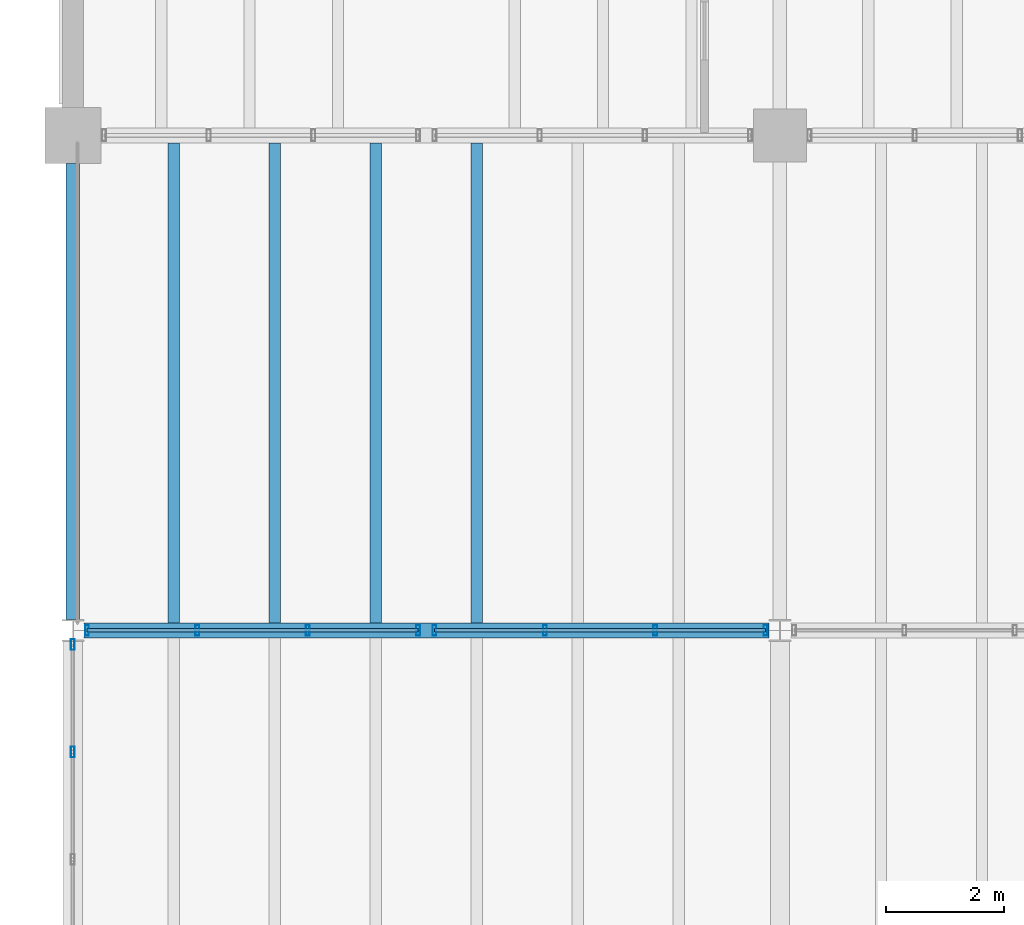
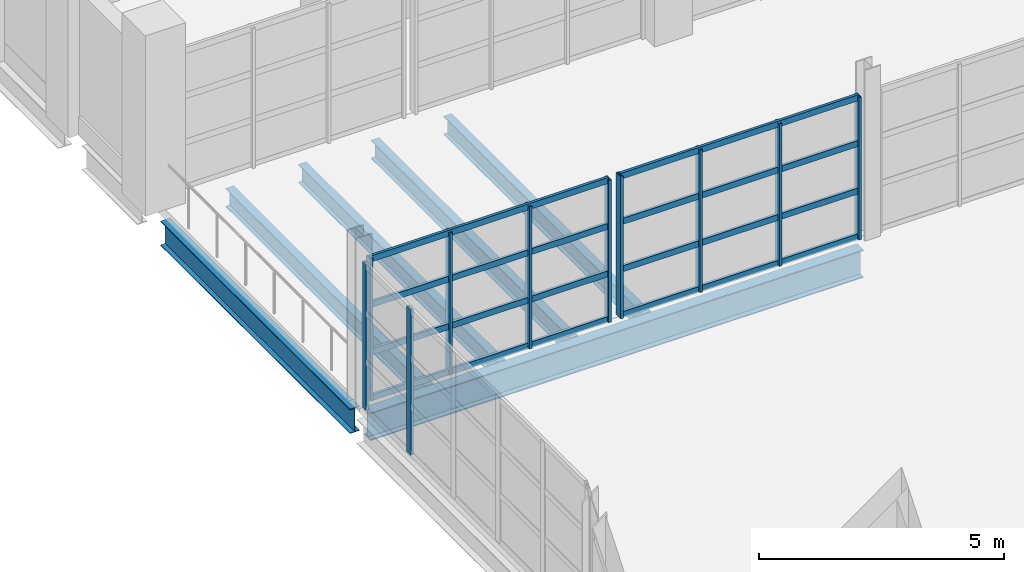
# One storey, part 17 of 114: 18 members, 6 beams, 3 elements without a shape of their own.
"""IFC4 building model written with IfcOpenShell, lengths in metres."""

import ifcopenshell
import ifcopenshell.guid

model = None  # the IFC model being written
_history = None  # IfcOwnerHistory: only IFC2X3 demands one
_inside = {}  # id of a spatial element -> (the spatial element, [elements in it])
_under = {}  # id of a project, library or spatial element -> (it, [spatial elements below it])
_declared = {}  # id of a project -> (the project, [libraries it declares])
_typed = {}  # id of a type object -> (the type object, [elements of that type])
_made_of = {}  # id of a material, layer set ... -> (it, [elements and type objects made of it])


def new_model(schema):
    """Start an empty IFC model of exactly this schema.

    Asked for "IFC4X3", IfcOpenShell would pick the latest addendum, in which some entities
    have other attributes; the version numbers below select the first issue.
    IFC2X3 requires an IfcOwnerHistory on every rooted entity: one is made here for all.
    """
    global model, _history
    if schema == "IFC4X3":
        model = ifcopenshell.file(schema_version=(4, 3, 0, 0))
    else:
        model = ifcopenshell.file(schema=schema)
    _inside.clear()
    _under.clear()
    _declared.clear()
    _typed.clear()
    _made_of.clear()
    _history = None
    if model.schema == "IFC2X3":
        org = make("IfcOrganization", Name="unknown")
        user = make(
            "IfcPersonAndOrganization",
            ThePerson=make("IfcPerson", FamilyName="unknown"),
            TheOrganization=org,
        )
        app = make(
            "IfcApplication",
            ApplicationDeveloper=org,
            Version="unknown",
            ApplicationFullName="unknown",
            ApplicationIdentifier="unknown",
        )
        _history = make(
            "IfcOwnerHistory",
            OwningUser=user,
            OwningApplication=app,
            ChangeAction="ADDED",
            CreationDate=0,
        )
    return model


def make(cls, **values):
    """One entity of the class cls with the attributes given. An attribute that is None is left unset."""
    return model.create_entity(
        cls, **{name: value for name, value in values.items() if value is not None}
    )


def rooted(cls, **values):
    """An entity with a GlobalId (a new one), such as an element, a storey or a relation."""
    return make(cls, GlobalId=ifcopenshell.guid.new(), OwnerHistory=_history, **values)


def si_unit(unit_type, name, prefix=None):
    """IfcSIUnit, for example si_unit("LENGTHUNIT", "METRE", prefix="MILLI")."""
    return make("IfcSIUnit", UnitType=unit_type, Prefix=prefix, Name=name)


def assignment(units):
    """IfcUnitAssignment: the units of a project."""
    return None if units is None else make("IfcUnitAssignment", Units=units)


def point(xyz):
    """IfcCartesianPoint."""
    return None if xyz is None else make("IfcCartesianPoint", Coordinates=xyz)


def direction(xyz):
    """IfcDirection."""
    return None if xyz is None else make("IfcDirection", DirectionRatios=xyz)


def frame(location, z_axis=None, x_axis=None):
    """IfcAxis2Placement3D, a coordinate frame: its origin and axes. An axis left out is left unset."""
    return make(
        "IfcAxis2Placement3D",
        Location=point(location),
        Axis=direction(z_axis),
        RefDirection=direction(x_axis),
    )


def frame_2d(location, x_axis=None):
    """IfcAxis2Placement2D, a coordinate frame in the plane: its origin and x axis."""
    return make(
        "IfcAxis2Placement2D", Location=point(location), RefDirection=direction(x_axis)
    )


def origin():
    """The frame at (0, 0, 0) with its axes left unset."""
    return frame((0.0, 0.0, 0.0))


def origin_2d():
    """The frame at (0, 0) in the plane with its x axis left unset."""
    return frame_2d((0.0, 0.0))


def place(relative_to, where):
    """IfcLocalPlacement: puts the frame where relative to a parent placement (None: the world)."""
    return make(
        "IfcLocalPlacement", PlacementRelTo=relative_to, RelativePlacement=where
    )


def context(
    kind, dimensions, precision=None, world=None, true_north=None, identifier=None
):
    """IfcGeometricRepresentationContext, for example the 3D "Model" context."""
    return make(
        "IfcGeometricRepresentationContext",
        ContextIdentifier=identifier,
        ContextType=kind,
        CoordinateSpaceDimension=dimensions,
        Precision=precision,
        WorldCoordinateSystem=world,
        TrueNorth=true_north,
    )


def subcontext(parent, identifier, kind, view, scale=None):
    """IfcGeometricRepresentationSubContext, for example "Body" below "Model"."""
    return make(
        "IfcGeometricRepresentationSubContext",
        ContextIdentifier=identifier,
        ContextType=kind,
        ParentContext=parent,
        TargetScale=scale,
        TargetView=view,
    )


def project(units=None, contexts=None):
    """IfcProject with its units and contexts."""
    return rooted(
        "IfcProject",
        Name="project",
        RepresentationContexts=contexts,
        UnitsInContext=assignment(units),
    )


def spatial(cls, under=None, at=None, **own):
    """A site, building, storey or space (cls), placed at a placement, below another one or the project."""
    s = rooted(cls, ObjectPlacement=at, **own)
    if under is not None:
        _under.setdefault(under.id(), (under, []))[1].append(s)
    return s


def profile(cls, at=None, kind="AREA", **sizes):
    """A parametric profile (cls). Its sizes go by their IFC names, for example OverallWidth=200.0."""
    return make(cls, ProfileType=kind, Position=at, **sizes)


def hollow_rectangle(**sizes):
    """IfcRectangleHollowProfileDef."""
    return profile("IfcRectangleHollowProfileDef", **sizes)


def i_section(**sizes):
    """IfcIShapeProfileDef."""
    return profile("IfcIShapeProfileDef", **sizes)


def extrude(swept, where, along, depth):
    """IfcExtrudedAreaSolid: the profile swept, set in the frame where, extruded along a direction by depth."""
    return make(
        "IfcExtrudedAreaSolid",
        SweptArea=swept,
        Position=where,
        ExtrudedDirection=direction(along),
        Depth=depth,
    )


def shape(context_of_items, identifier, shape_type, items):
    """IfcShapeRepresentation: the items that make up one representation, for example the "Body"."""
    return make(
        "IfcShapeRepresentation",
        ContextOfItems=context_of_items,
        RepresentationIdentifier=identifier,
        RepresentationType=shape_type,
        Items=items,
    )


def material(Name=None, Category=None):
    """IfcMaterial."""
    return make("IfcMaterial", Name=Name, Category=Category)


def material_profile(
    of_material, cross_section, Name=None, Category=None, Priority=None
):
    """IfcMaterialProfile: a cross section and its material."""
    return make(
        "IfcMaterialProfile",
        Name=Name,
        Material=of_material,
        Profile=cross_section,
        Priority=Priority,
        Category=Category,
    )


def profile_set(profiles, Name=None, composite=None):
    """IfcMaterialProfileSet."""
    return make(
        "IfcMaterialProfileSet",
        Name=Name,
        MaterialProfiles=profiles,
        CompositeProfile=composite,
    )


def made_of(thing, what):
    """Note that an element or type object is made of a material, layer set ...; save() writes the relation."""
    if what is not None:
        _made_of.setdefault(what.id(), (what, []))[1].append(thing)
    return thing


def type_object(cls, material=None, **own):
    """A type object (cls), such as IfcWallType, which elements share."""
    return made_of(rooted(cls, **own), material)


def element(
    cls,
    number,
    at=None,
    inside=None,
    cuts=None,
    type_object=None,
    material=None,
    context=None,
    identifier="Body",
    shape_type=None,
    held_by="IfcProductDefinitionShape",
    body=None,
    shapes=None,
    **own,
):
    """One element of the class cls, such as IfcWall. Its Tag is "e" and its number.

    at: its placement. inside: the storey or other place that contains it. cuts: it is an
    opening in that element (IfcRelVoidsElement). A single representation is given by context,
    identifier, shape_type and body (its items); several are given by shapes. held_by: the class
    of the entity that holds the representations. save() writes the other relations.
    """
    e = rooted(cls, Tag="e%d" % number, ObjectPlacement=at, **own)
    if body is not None:
        shapes = [shape(context, identifier, shape_type, body)]
    if shapes is not None:
        e.Representation = make(held_by, Representations=shapes)
    if inside is not None:
        _inside.setdefault(inside.id(), (inside, []))[1].append(e)
    if cuts is not None:
        rooted(
            "IfcRelVoidsElement", RelatingBuildingElement=cuts, RelatedOpeningElement=e
        )
    if type_object is not None:
        _typed.setdefault(type_object.id(), (type_object, []))[1].append(e)
    return made_of(e, material)


def aggregate(whole, parts):
    """IfcRelAggregates: a whole, such as a stair, and the parts it consists of."""
    return rooted("IfcRelAggregates", RelatingObject=whole, RelatedObjects=parts)


def save(model, path):
    """Write the relations noted so far, then the file.

    IfcRelAggregates (storeys below a building ...), IfcRelContainedInSpatialStructure (elements
    in a storey), IfcRelDefinesByType, IfcRelAssociatesMaterial and IfcRelDeclares: one each for
    every whole, place, type object, material and project.
    """
    for whole, parts in _under.values():
        aggregate(whole, parts)
    for where, things in _inside.values():
        rooted(
            "IfcRelContainedInSpatialStructure",
            RelatedElements=things,
            RelatingStructure=where,
        )
    for kind, things in _typed.values():
        rooted("IfcRelDefinesByType", RelatedObjects=things, RelatingType=kind)
    for what, things in _made_of.values():
        rooted("IfcRelAssociatesMaterial", RelatedObjects=things, RelatingMaterial=what)
    for by, libraries in _declared.values():
        rooted("IfcRelDeclares", RelatingContext=by, RelatedDefinitions=libraries)
    model.write(path)


model = new_model("IFC4")

# Units and contexts
model_context = context("Model", 3, precision=1e-05, world=origin(), true_north=direction((0.0, 1.0)))
body_context = subcontext(model_context, "Body", "Model", "MODEL_VIEW")
ifc_project = project(units=[si_unit("LENGTHUNIT", "METRE"), si_unit("AREAUNIT", "SQUARE_METRE"), si_unit("VOLUMEUNIT", "CUBIC_METRE"), si_unit("PLANEANGLEUNIT", "RADIAN"), si_unit("MASSUNIT", "GRAM", prefix="KILO")], contexts=[model_context])

# Site, building, storey
site_placement = place(None, origin())
site = spatial("IfcSite", under=ifc_project, at=site_placement, CompositionType="ELEMENT")
building_placement = place(site_placement, origin())
building = spatial("IfcBuilding", under=site, at=building_placement, Name="Kelmvaro Bay Concert Hall", CompositionType="ELEMENT")
storey_placement = place(building_placement, frame((0.0, 0.0, 4.800048828125)))
storey = spatial("IfcBuildingStorey", under=building, at=storey_placement, Name="L01", CompositionType="ELEMENT", Elevation=4.800048828125)

# Curtain wall, members
ifc_material_1 = material(Name="Anodised Aluminium and Low-E Insulated Glazing", Category="aluminium")
curtain_wall_type = type_object("IfcCurtainWallType", Name="West Link Courtyard Curtain Wall 4000", PredefinedType="USERDEFINED", material=ifc_material_1)
curtain_wall_1_placement = place(storey_placement, origin())
curtain_wall_1 = element("IfcCurtainWall", 1, at=curtain_wall_1_placement, inside=storey, type_object=curtain_wall_type, Name="Unitised Curtain Wall CW-L01-132", ObjectType="UNITISED GLAZING", PredefinedType="USERDEFINED")
ifc_material_2 = material(Name="Anodised Extruded Aluminium 6063-T6", Category="aluminium")
ifc_material_profile_1 = material_profile(ifc_material_2, hollow_rectangle(XDim=0.06494140625, YDim=0.179931640625, WallThickness=0.00390625, at=origin_2d()), Name="ALU-MUL-180X65")
ifc_profile_set_1 = profile_set([ifc_material_profile_1], Name="Anodised Extruded Aluminium 6063-T6")
member_type_1 = type_object("IfcMemberType", Name="Curtain Mullion ALU 180x65", PredefinedType="MULLION", material=ifc_profile_set_1)
member_1_placement = place(storey_placement, frame((0.0, 54.93505859375, 0.0), z_axis=(0.0, 0.0, 1.0), x_axis=(1.0, 0.0, 0.0)))
member_1 = element("IfcMember", 2, at=member_1_placement, type_object=member_type_1, Name="CW-L01-132 Mullion 05", PredefinedType="MULLION", context=body_context, shape_type="SweptSolid", body=[
    extrude(hollow_rectangle(XDim=0.06494140625, YDim=0.179931640625, WallThickness=0.00390625, at=origin_2d()), origin(), (0.0, 0.0, 1.0), 3.62890625),
])
member_2_placement = place(storey_placement, frame((0.0, 56.758544921875, 0.0), z_axis=(0.0, 0.0, 1.0), x_axis=(1.0, 0.0, 0.0)))
member_2 = element("IfcMember", 3, at=member_2_placement, type_object=member_type_1, Name="CW-L01-132 Mullion 06", PredefinedType="MULLION", context=body_context, shape_type="SweptSolid", body=[
    extrude(hollow_rectangle(XDim=0.06494140625, YDim=0.179931640625, WallThickness=0.00390625, at=origin_2d()), origin(), (0.0, 0.0, 1.0), 3.62890625),
])
aggregate(curtain_wall_1, [member_1, member_2])

curtain_wall_2_placement = place(storey_placement, origin())
curtain_wall_2 = element("IfcCurtainWall", 4, at=curtain_wall_2_placement, inside=storey, type_object=curtain_wall_type, Name="Unitised Curtain Wall CW-L01-133", ObjectType="UNITISED GLAZING", PredefinedType="USERDEFINED")
member_3_placement = place(storey_placement, frame((0.241455078125, 57.0, 0.0), z_axis=(0.0, 0.0, 1.0), x_axis=(1.0, 0.0, 0.0)))
member_3 = element("IfcMember", 5, at=member_3_placement, type_object=member_type_1, Name="CW-L01-133 Mullion 01", PredefinedType="MULLION", context=body_context, shape_type="SweptSolid", body=[
    extrude(hollow_rectangle(XDim=0.06494140625, YDim=0.179931640625, WallThickness=0.00390625, at=origin_2d()), origin(), (0.0, 0.0, 1.0), 3.546875),
])
member_4_placement = place(storey_placement, frame((2.1142578125, 57.0, 0.0), z_axis=(0.0, 0.0, 1.0), x_axis=(1.0, 0.0, 0.0)))
member_4 = element("IfcMember", 6, at=member_4_placement, type_object=member_type_1, Name="CW-L01-133 Mullion 02", PredefinedType="MULLION", context=body_context, shape_type="SweptSolid", body=[
    extrude(hollow_rectangle(XDim=0.06494140625, YDim=0.179931640625, WallThickness=0.00390625, at=origin_2d()), origin(), (0.0, 0.0, 1.0), 3.546875),
])
member_5_placement = place(storey_placement, frame((3.9873046875, 57.0, 0.0), z_axis=(0.0, 0.0, 1.0), x_axis=(1.0, 0.0, 0.0)))
member_5 = element("IfcMember", 7, at=member_5_placement, type_object=member_type_1, Name="CW-L01-133 Mullion 03", PredefinedType="MULLION", context=body_context, shape_type="SweptSolid", body=[
    extrude(hollow_rectangle(XDim=0.06494140625, YDim=0.179931640625, WallThickness=0.00390625, at=origin_2d()), origin(), (0.0, 0.0, 1.0), 3.546875),
])
member_6_placement = place(storey_placement, frame((5.860107421875, 57.0, 0.0), z_axis=(0.0, 0.0, 1.0), x_axis=(1.0, 0.0, 0.0)))
member_6 = element("IfcMember", 8, at=member_6_placement, type_object=member_type_1, Name="CW-L01-133 Mullion 04", PredefinedType="MULLION", context=body_context, shape_type="SweptSolid", body=[
    extrude(hollow_rectangle(XDim=0.06494140625, YDim=0.179931640625, WallThickness=0.00390625, at=origin_2d()), origin(), (0.0, 0.0, 1.0), 3.546875),
])

curtain_wall_3_placement = place(storey_placement, origin())
curtain_wall_3 = element("IfcCurtainWall", 9, at=curtain_wall_3_placement, inside=storey, type_object=curtain_wall_type, Name="Unitised Curtain Wall CW-L01-134", ObjectType="UNITISED GLAZING", PredefinedType="USERDEFINED")
member_7_placement = place(storey_placement, frame((6.139892578125, 57.0, 0.0), z_axis=(0.0, 0.0, 1.0), x_axis=(1.0, 0.0, 0.0)))
member_7 = element("IfcMember", 10, at=member_7_placement, type_object=member_type_1, Name="CW-L01-134 Mullion 01", PredefinedType="MULLION", context=body_context, shape_type="SweptSolid", body=[
    extrude(hollow_rectangle(XDim=0.06494140625, YDim=0.179931640625, WallThickness=0.00390625, at=origin_2d()), origin(), (0.0, 0.0, 1.0), 3.546875),
])
member_8_placement = place(storey_placement, frame((8.0126953125, 57.0, 0.0), z_axis=(0.0, 0.0, 1.0), x_axis=(1.0, 0.0, 0.0)))
member_8 = element("IfcMember", 11, at=member_8_placement, type_object=member_type_1, Name="CW-L01-134 Mullion 02", PredefinedType="MULLION", context=body_context, shape_type="SweptSolid", body=[
    extrude(hollow_rectangle(XDim=0.06494140625, YDim=0.179931640625, WallThickness=0.00390625, at=origin_2d()), origin(), (0.0, 0.0, 1.0), 3.546875),
])
member_9_placement = place(storey_placement, frame((9.8857421875, 57.0, 0.0), z_axis=(0.0, 0.0, 1.0), x_axis=(1.0, 0.0, 0.0)))
member_9 = element("IfcMember", 12, at=member_9_placement, type_object=member_type_1, Name="CW-L01-134 Mullion 03", PredefinedType="MULLION", context=body_context, shape_type="SweptSolid", body=[
    extrude(hollow_rectangle(XDim=0.06494140625, YDim=0.179931640625, WallThickness=0.00390625, at=origin_2d()), origin(), (0.0, 0.0, 1.0), 3.546875),
])
member_10_placement = place(storey_placement, frame((11.758544921875, 57.0, 0.0), z_axis=(0.0, 0.0, 1.0), x_axis=(1.0, 0.0, 0.0)))
member_10 = element("IfcMember", 13, at=member_10_placement, type_object=member_type_1, Name="CW-L01-134 Mullion 04", PredefinedType="MULLION", context=body_context, shape_type="SweptSolid", body=[
    extrude(hollow_rectangle(XDim=0.06494140625, YDim=0.179931640625, WallThickness=0.00390625, at=origin_2d()), origin(), (0.0, 0.0, 1.0), 3.546875),
])

# Member
ifc_material_3 = material(Name="Anodised Extruded Aluminium 6063-T6", Category="aluminium")
ifc_material_profile_2 = material_profile(ifc_material_3, hollow_rectangle(XDim=0.06494140625, YDim=0.14990234375, WallThickness=0.00390625, at=origin_2d()), Name="ALU-TRN-150X65")
ifc_profile_set_2 = profile_set([ifc_material_profile_2], Name="Anodised Extruded Aluminium 6063-T6")
member_type_2 = type_object("IfcMemberType", Name="Curtain Transom ALU 150x65", PredefinedType="USERDEFINED", material=ifc_profile_set_2)
member_11_placement = place(storey_placement, frame((0.241455078125, 57.0, 0.0400390625), z_axis=(1.0, 0.0, 0.0), x_axis=(0.0, 1.0, 0.0)))
member_11 = element("IfcMember", 14, at=member_11_placement, type_object=member_type_2, Name="CW-L01-133 Transom 01", ObjectType="TRANSOM", PredefinedType="USERDEFINED", context=body_context, shape_type="SweptSolid", body=[
    extrude(hollow_rectangle(XDim=0.06494140625, YDim=0.14990234375, WallThickness=0.00390625, at=origin_2d()), origin(), (0.0, 0.0, 1.0), 5.61865234375),
])

member_12_placement = place(storey_placement, frame((0.241455078125, 57.0, 1.182373046875), z_axis=(1.0, 0.0, 0.0), x_axis=(0.0, 1.0, 0.0)))
member_12 = element("IfcMember", 15, at=member_12_placement, type_object=member_type_2, Name="CW-L01-133 Transom 02", ObjectType="TRANSOM", PredefinedType="USERDEFINED", context=body_context, shape_type="SweptSolid", body=[
    extrude(hollow_rectangle(XDim=0.06494140625, YDim=0.14990234375, WallThickness=0.00390625, at=origin_2d()), origin(), (0.0, 0.0, 1.0), 5.61865234375),
])

member_13_placement = place(storey_placement, frame((0.241455078125, 57.0, 2.36474609375), z_axis=(1.0, 0.0, 0.0), x_axis=(0.0, 1.0, 0.0)))
member_13 = element("IfcMember", 16, at=member_13_placement, type_object=member_type_2, Name="CW-L01-133 Transom 03", ObjectType="TRANSOM", PredefinedType="USERDEFINED", context=body_context, shape_type="SweptSolid", body=[
    extrude(hollow_rectangle(XDim=0.06494140625, YDim=0.14990234375, WallThickness=0.00390625, at=origin_2d()), origin(), (0.0, 0.0, 1.0), 5.61865234375),
])

member_14_placement = place(storey_placement, frame((0.241455078125, 57.0, 3.5068359375), z_axis=(1.0, 0.0, 0.0), x_axis=(0.0, 1.0, 0.0)))
member_14 = element("IfcMember", 17, at=member_14_placement, type_object=member_type_2, Name="CW-L01-133 Transom 04", ObjectType="TRANSOM", PredefinedType="USERDEFINED", context=body_context, shape_type="SweptSolid", body=[
    extrude(hollow_rectangle(XDim=0.06494140625, YDim=0.14990234375, WallThickness=0.00390625, at=origin_2d()), origin(), (0.0, 0.0, 1.0), 5.61865234375),
])

aggregate(curtain_wall_2, [member_3, member_4, member_5, member_6, member_11, member_12, member_13, member_14])

member_15_placement = place(storey_placement, frame((6.139892578125, 57.0, 0.0400390625), z_axis=(1.0, 0.0, 0.0), x_axis=(0.0, 1.0, 0.0)))
member_15 = element("IfcMember", 18, at=member_15_placement, type_object=member_type_2, Name="CW-L01-134 Transom 01", ObjectType="TRANSOM", PredefinedType="USERDEFINED", context=body_context, shape_type="SweptSolid", body=[
    extrude(hollow_rectangle(XDim=0.06494140625, YDim=0.14990234375, WallThickness=0.00390625, at=origin_2d()), origin(), (0.0, 0.0, 1.0), 5.61865234375),
])

member_16_placement = place(storey_placement, frame((6.139892578125, 57.0, 1.182373046875), z_axis=(1.0, 0.0, 0.0), x_axis=(0.0, 1.0, 0.0)))
member_16 = element("IfcMember", 19, at=member_16_placement, type_object=member_type_2, Name="CW-L01-134 Transom 02", ObjectType="TRANSOM", PredefinedType="USERDEFINED", context=body_context, shape_type="SweptSolid", body=[
    extrude(hollow_rectangle(XDim=0.06494140625, YDim=0.14990234375, WallThickness=0.00390625, at=origin_2d()), origin(), (0.0, 0.0, 1.0), 5.61865234375),
])

member_17_placement = place(storey_placement, frame((6.139892578125, 57.0, 2.36474609375), z_axis=(1.0, 0.0, 0.0), x_axis=(0.0, 1.0, 0.0)))
member_17 = element("IfcMember", 20, at=member_17_placement, type_object=member_type_2, Name="CW-L01-134 Transom 03", ObjectType="TRANSOM", PredefinedType="USERDEFINED", context=body_context, shape_type="SweptSolid", body=[
    extrude(hollow_rectangle(XDim=0.06494140625, YDim=0.14990234375, WallThickness=0.00390625, at=origin_2d()), origin(), (0.0, 0.0, 1.0), 5.61865234375),
])

member_18_placement = place(storey_placement, frame((6.139892578125, 57.0, 3.5068359375), z_axis=(1.0, 0.0, 0.0), x_axis=(0.0, 1.0, 0.0)))
member_18 = element("IfcMember", 21, at=member_18_placement, type_object=member_type_2, Name="CW-L01-134 Transom 04", ObjectType="TRANSOM", PredefinedType="USERDEFINED", context=body_context, shape_type="SweptSolid", body=[
    extrude(hollow_rectangle(XDim=0.06494140625, YDim=0.14990234375, WallThickness=0.00390625, at=origin_2d()), origin(), (0.0, 0.0, 1.0), 5.61865234375),
])

aggregate(curtain_wall_3, [member_7, member_8, member_9, member_10, member_15, member_16, member_17, member_18])

# Beams
ifc_material_4 = material(Name="Steel ASTM A992 Grade 50", Category="steel")
ifc_material_profile_3 = material_profile(ifc_material_4, i_section(OverallWidth=0.256103515625, OverallDepth=0.693115234375, WebThickness=0.014404296875, FlangeThickness=0.023681640625, at=origin_2d()), Name="W27X114")
ifc_profile_set_3 = profile_set([ifc_material_profile_3], Name="Steel ASTM A992 Grade 50")
beam_type_1 = type_object("IfcBeamType", Name="Foyer Primary Girder W27x114", PredefinedType="BEAM", material=ifc_profile_set_3)
beam_1_placement = place(storey_placement, frame((0.1865234375, 57.0, -0.596435546875), z_axis=(1.0, 0.0, 0.0), x_axis=(0.0, 1.0, 0.0)))
element("IfcBeam", 22, at=beam_1_placement, inside=storey, type_object=beam_type_1, Name="L01 Girder BM-L01-EW-0065", PredefinedType="BEAM", context=body_context, shape_type="SweptSolid", body=[
    extrude(i_section(OverallWidth=0.256103515625, OverallDepth=0.693115234375, WebThickness=0.014404296875, FlangeThickness=0.023681640625, at=origin_2d()), origin(), (0.0, 0.0, 1.0), 11.626953125),
])
ifc_material_5 = material(Name="Steel ASTM A992 Grade 50", Category="steel")
ifc_material_profile_4 = material_profile(ifc_material_5, i_section(OverallWidth=0.19091796875, OverallDepth=0.45703125, WebThickness=0.009033203125, FlangeThickness=0.014404296875, at=origin_2d()), Name="W18X50")
ifc_profile_set_4 = profile_set([ifc_material_profile_4], Name="Steel ASTM A992 Grade 50")
beam_type_2 = type_object("IfcBeamType", Name="Standard Composite Floor Joist W18x50", PredefinedType="JOIST", material=ifc_profile_set_4)
for number, where, z_axis, x_axis, name in (
    (23, (1.71435546875, 57.1279296875, -0.468505859375), (0.0, 1.0, 0.0), (-1.0, 0.0, 0.0), "L01 Floor Joist JST-L01-0502"),
    (24, (3.4287109375, 57.1279296875, -0.468505859375), (0.0, 1.0, 0.0), (-1.0, 0.0, 0.0), "L01 Floor Joist JST-L01-0503"),
    (25, (5.142822265625, 57.1279296875, -0.468505859375), (0.0, 1.0, 0.0), (-1.0, 0.0, 0.0), "L01 Floor Joist JST-L01-0504"),
    (26, (6.857177734375, 57.1279296875, -0.468505859375), (0.0, 1.0, 0.0), (-1.0, 0.0, 0.0), "L01 Floor Joist JST-L01-0505"),
):
    element("IfcBeam", number, at=place(storey_placement, frame(where, z_axis=z_axis, x_axis=x_axis)), inside=storey, type_object=beam_type_2, Name=name, PredefinedType="JOIST", context=body_context, shape_type="SweptSolid", body=[
        extrude(i_section(OverallWidth=0.19091796875, OverallDepth=0.45703125, WebThickness=0.009033203125, FlangeThickness=0.014404296875, at=origin_2d()), origin(), (0.0, 0.0, 1.0), 8.14404296875),
    ])
ifc_material_6 = material(Name="Steel ASTM A992 Grade 50", Category="steel")
ifc_material_profile_5 = material_profile(ifc_material_6, i_section(OverallWidth=0.22900390625, OverallDepth=0.612060546875, WebThickness=0.011962890625, FlangeThickness=0.01953125, at=origin_2d()), Name="W24X84")
ifc_profile_set_5 = profile_set([ifc_material_profile_5], Name="Steel ASTM A992 Grade 50")
beam_type_3 = type_object("IfcBeamType", Name="Terrace Edge Girder W24x84", PredefinedType="BEAM", material=ifc_profile_set_5)
beam_2_placement = place(storey_placement, frame((0.0, 57.1865234375, -0.546142578125), z_axis=(0.0, 1.0, 0.0), x_axis=(-1.0, 0.0, 0.0)))
element("IfcBeam", 27, at=beam_2_placement, inside=storey, type_object=beam_type_3, Name="L01 Girder BM-L01-NS-0122", PredefinedType="BEAM", context=body_context, shape_type="SweptSolid", body=[
    extrude(i_section(OverallWidth=0.22900390625, OverallDepth=0.612060546875, WebThickness=0.011962890625, FlangeThickness=0.01953125, at=origin_2d()), origin(), (0.0, 0.0, 1.0), 7.738525390625),
])

save(model, "model.ifc")
